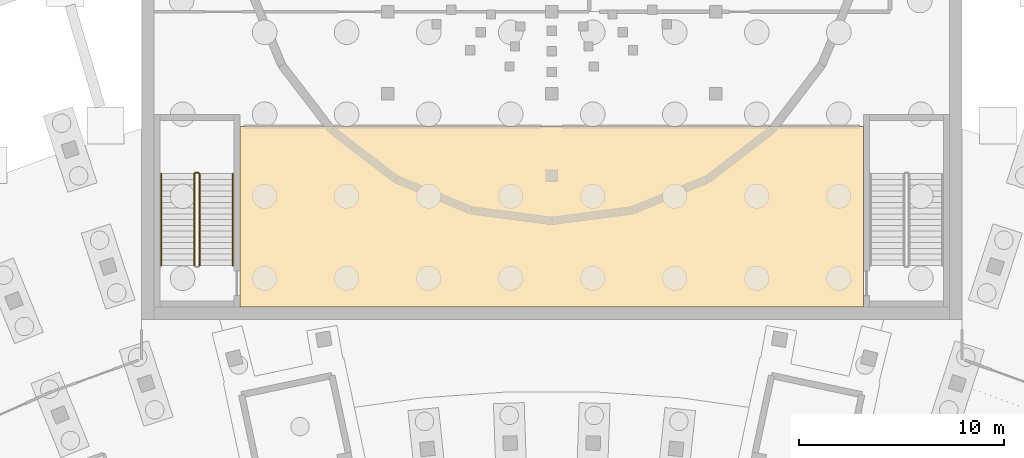
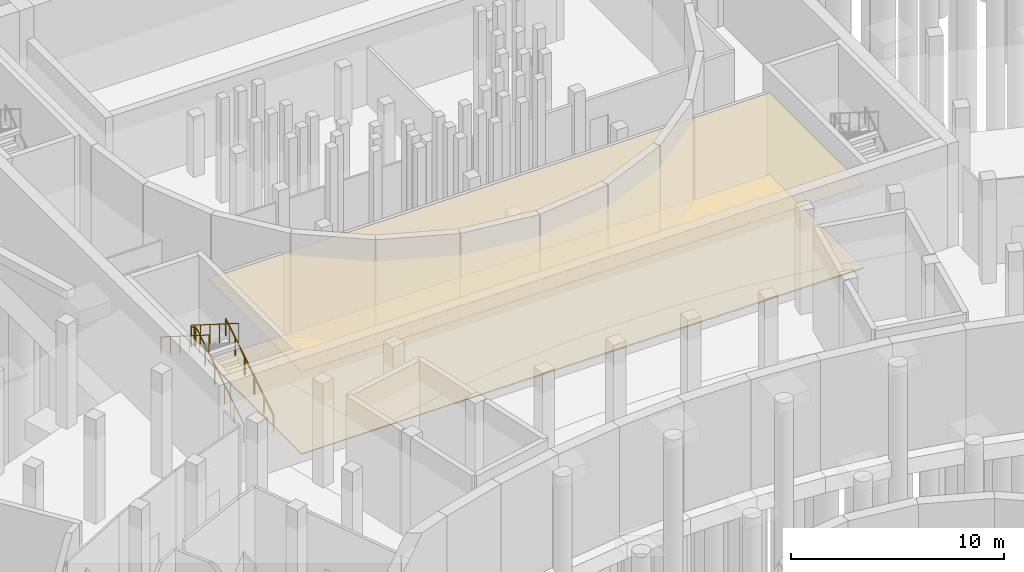
# One storey, part 48 of 66: 5 railings, 2 coverings.
"""IFC4 building model written with IfcOpenShell, lengths in metres."""

import ifcopenshell
import ifcopenshell.guid

model = None  # the IFC model being written
_history = None  # IfcOwnerHistory: only IFC2X3 demands one
_inside = {}  # id of a spatial element -> (the spatial element, [elements in it])
_under = {}  # id of a project, library or spatial element -> (it, [spatial elements below it])
_declared = {}  # id of a project -> (the project, [libraries it declares])
_typed = {}  # id of a type object -> (the type object, [elements of that type])
_made_of = {}  # id of a material, layer set ... -> (it, [elements and type objects made of it])


def new_model(schema):
    """Start an empty IFC model of exactly this schema.

    Asked for "IFC4X3", IfcOpenShell would pick the latest addendum, in which some entities
    have other attributes; the version numbers below select the first issue.
    IFC2X3 requires an IfcOwnerHistory on every rooted entity: one is made here for all.
    """
    global model, _history
    if schema == "IFC4X3":
        model = ifcopenshell.file(schema_version=(4, 3, 0, 0))
    else:
        model = ifcopenshell.file(schema=schema)
    _inside.clear()
    _under.clear()
    _declared.clear()
    _typed.clear()
    _made_of.clear()
    _history = None
    if model.schema == "IFC2X3":
        org = make("IfcOrganization", Name="unknown")
        user = make(
            "IfcPersonAndOrganization",
            ThePerson=make("IfcPerson", FamilyName="unknown"),
            TheOrganization=org,
        )
        app = make(
            "IfcApplication",
            ApplicationDeveloper=org,
            Version="unknown",
            ApplicationFullName="unknown",
            ApplicationIdentifier="unknown",
        )
        _history = make(
            "IfcOwnerHistory",
            OwningUser=user,
            OwningApplication=app,
            ChangeAction="ADDED",
            CreationDate=0,
        )
    return model


def make(cls, **values):
    """One entity of the class cls with the attributes given. An attribute that is None is left unset."""
    return model.create_entity(
        cls, **{name: value for name, value in values.items() if value is not None}
    )


def rooted(cls, **values):
    """An entity with a GlobalId (a new one), such as an element, a storey or a relation."""
    return make(cls, GlobalId=ifcopenshell.guid.new(), OwnerHistory=_history, **values)


def si_unit(unit_type, name, prefix=None):
    """IfcSIUnit, for example si_unit("LENGTHUNIT", "METRE", prefix="MILLI")."""
    return make("IfcSIUnit", UnitType=unit_type, Prefix=prefix, Name=name)


def assignment(units):
    """IfcUnitAssignment: the units of a project."""
    return None if units is None else make("IfcUnitAssignment", Units=units)


def point(xyz):
    """IfcCartesianPoint."""
    return None if xyz is None else make("IfcCartesianPoint", Coordinates=xyz)


def direction(xyz):
    """IfcDirection."""
    return None if xyz is None else make("IfcDirection", DirectionRatios=xyz)


def frame(location, z_axis=None, x_axis=None):
    """IfcAxis2Placement3D, a coordinate frame: its origin and axes. An axis left out is left unset."""
    return make(
        "IfcAxis2Placement3D",
        Location=point(location),
        Axis=direction(z_axis),
        RefDirection=direction(x_axis),
    )


def frame_2d(location, x_axis=None):
    """IfcAxis2Placement2D, a coordinate frame in the plane: its origin and x axis."""
    return make(
        "IfcAxis2Placement2D", Location=point(location), RefDirection=direction(x_axis)
    )


def origin():
    """The frame at (0, 0, 0) with its axes left unset."""
    return frame((0.0, 0.0, 0.0))


def origin_2d():
    """The frame at (0, 0) in the plane with its x axis left unset."""
    return frame_2d((0.0, 0.0))


def place(relative_to, where):
    """IfcLocalPlacement: puts the frame where relative to a parent placement (None: the world)."""
    return make(
        "IfcLocalPlacement", PlacementRelTo=relative_to, RelativePlacement=where
    )


def context(
    kind, dimensions, precision=None, world=None, true_north=None, identifier=None
):
    """IfcGeometricRepresentationContext, for example the 3D "Model" context."""
    return make(
        "IfcGeometricRepresentationContext",
        ContextIdentifier=identifier,
        ContextType=kind,
        CoordinateSpaceDimension=dimensions,
        Precision=precision,
        WorldCoordinateSystem=world,
        TrueNorth=true_north,
    )


def subcontext(parent, identifier, kind, view, scale=None):
    """IfcGeometricRepresentationSubContext, for example "Body" below "Model"."""
    return make(
        "IfcGeometricRepresentationSubContext",
        ContextIdentifier=identifier,
        ContextType=kind,
        ParentContext=parent,
        TargetScale=scale,
        TargetView=view,
    )


def project(units=None, contexts=None):
    """IfcProject with its units and contexts."""
    return rooted(
        "IfcProject",
        Name="project",
        RepresentationContexts=contexts,
        UnitsInContext=assignment(units),
    )


def spatial(cls, under=None, at=None, **own):
    """A site, building, storey or space (cls), placed at a placement, below another one or the project."""
    s = rooted(cls, ObjectPlacement=at, **own)
    if under is not None:
        _under.setdefault(under.id(), (under, []))[1].append(s)
    return s


def polyline(points):
    """IfcPolyline through the points."""
    return make("IfcPolyline", Points=[point(p) for p in points])


def profile(cls, at=None, kind="AREA", **sizes):
    """A parametric profile (cls). Its sizes go by their IFC names, for example OverallWidth=200.0."""
    return make(cls, ProfileType=kind, Position=at, **sizes)


def circle(**sizes):
    """IfcCircleProfileDef."""
    return profile("IfcCircleProfileDef", **sizes)


def outline(outer, holes=None, kind="AREA"):
    """IfcArbitraryClosedProfileDef: a profile drawn as a closed curve; with holes, ...WithVoids."""
    if holes is None:
        return make("IfcArbitraryClosedProfileDef", ProfileType=kind, OuterCurve=outer)
    return make(
        "IfcArbitraryProfileDefWithVoids",
        ProfileType=kind,
        OuterCurve=outer,
        InnerCurves=holes,
    )


def extrude(swept, where, along, depth):
    """IfcExtrudedAreaSolid: the profile swept, set in the frame where, extruded along a direction by depth."""
    return make(
        "IfcExtrudedAreaSolid",
        SweptArea=swept,
        Position=where,
        ExtrudedDirection=direction(along),
        Depth=depth,
    )


def shape(context_of_items, identifier, shape_type, items):
    """IfcShapeRepresentation: the items that make up one representation, for example the "Body"."""
    return make(
        "IfcShapeRepresentation",
        ContextOfItems=context_of_items,
        RepresentationIdentifier=identifier,
        RepresentationType=shape_type,
        Items=items,
    )


def material(Name=None, Category=None):
    """IfcMaterial."""
    return make("IfcMaterial", Name=Name, Category=Category)


def layer(
    of_material, thickness, ventilated=None, Name=None, Category=None, Priority=None
):
    """IfcMaterialLayer: one layer of a wall or slab, of a material (None: an air gap)."""
    return make(
        "IfcMaterialLayer",
        Material=of_material,
        LayerThickness=thickness,
        IsVentilated=ventilated,
        Name=Name,
        Category=Category,
        Priority=Priority,
    )


def layer_set(layers, Name=None):
    """IfcMaterialLayerSet."""
    return make("IfcMaterialLayerSet", MaterialLayers=layers, LayerSetName=Name)


def made_of(thing, what):
    """Note that an element or type object is made of a material, layer set ...; save() writes the relation."""
    if what is not None:
        _made_of.setdefault(what.id(), (what, []))[1].append(thing)
    return thing


def type_object(cls, material=None, **own):
    """A type object (cls), such as IfcWallType, which elements share."""
    return made_of(rooted(cls, **own), material)


def element(
    cls,
    number,
    at=None,
    inside=None,
    cuts=None,
    type_object=None,
    material=None,
    context=None,
    identifier="Body",
    shape_type=None,
    held_by="IfcProductDefinitionShape",
    body=None,
    shapes=None,
    **own,
):
    """One element of the class cls, such as IfcWall. Its Tag is "e" and its number.

    at: its placement. inside: the storey or other place that contains it. cuts: it is an
    opening in that element (IfcRelVoidsElement). A single representation is given by context,
    identifier, shape_type and body (its items); several are given by shapes. held_by: the class
    of the entity that holds the representations. save() writes the other relations.
    """
    e = rooted(cls, Tag="e%d" % number, ObjectPlacement=at, **own)
    if body is not None:
        shapes = [shape(context, identifier, shape_type, body)]
    if shapes is not None:
        e.Representation = make(held_by, Representations=shapes)
    if inside is not None:
        _inside.setdefault(inside.id(), (inside, []))[1].append(e)
    if cuts is not None:
        rooted(
            "IfcRelVoidsElement", RelatingBuildingElement=cuts, RelatedOpeningElement=e
        )
    if type_object is not None:
        _typed.setdefault(type_object.id(), (type_object, []))[1].append(e)
    return made_of(e, material)


def aggregate(whole, parts):
    """IfcRelAggregates: a whole, such as a stair, and the parts it consists of."""
    return rooted("IfcRelAggregates", RelatingObject=whole, RelatedObjects=parts)


def save(model, path):
    """Write the relations noted so far, then the file.

    IfcRelAggregates (storeys below a building ...), IfcRelContainedInSpatialStructure (elements
    in a storey), IfcRelDefinesByType, IfcRelAssociatesMaterial and IfcRelDeclares: one each for
    every whole, place, type object, material and project.
    """
    for whole, parts in _under.values():
        aggregate(whole, parts)
    for where, things in _inside.values():
        rooted(
            "IfcRelContainedInSpatialStructure",
            RelatedElements=things,
            RelatingStructure=where,
        )
    for kind, things in _typed.values():
        rooted("IfcRelDefinesByType", RelatedObjects=things, RelatingType=kind)
    for what, things in _made_of.values():
        rooted("IfcRelAssociatesMaterial", RelatedObjects=things, RelatingMaterial=what)
    for by, libraries in _declared.values():
        rooted("IfcRelDeclares", RelatingContext=by, RelatedDefinitions=libraries)
    model.write(path)


model = new_model("IFC4")

# Units and contexts
model_context = context("Model", 3, precision=1e-05, world=origin(), true_north=direction((0.0, 1.0)))
body_context = subcontext(model_context, "Body", "Model", "MODEL_VIEW")
ifc_project = project(units=[si_unit("LENGTHUNIT", "METRE"), si_unit("AREAUNIT", "SQUARE_METRE"), si_unit("VOLUMEUNIT", "CUBIC_METRE"), si_unit("PLANEANGLEUNIT", "RADIAN"), si_unit("MASSUNIT", "GRAM", prefix="KILO")], contexts=[model_context])

# Site, building, storey
site_placement = place(None, origin())
site = spatial("IfcSite", under=ifc_project, at=site_placement, CompositionType="ELEMENT")
building_placement = place(site_placement, origin())
building = spatial("IfcBuilding", under=site, at=building_placement, Name="Lunette Opera House", CompositionType="ELEMENT")
storey_placement = place(building_placement, frame((0.0, 0.0, -6.0)))
storey = spatial("IfcBuildingStorey", under=building, at=storey_placement, Name="B1", CompositionType="ELEMENT", Elevation=-6.0)

# Covering
ifc_material_1 = material(Name="Cement screed")
ifc_layer_1 = layer(ifc_material_1, 0.070068359375)
ifc_layer_set_1 = layer_set([ifc_layer_1], Name="Cement screed")
covering_type_1 = type_object("IfcCoveringType", Name="SCREED FLOOR FINISH 70", PredefinedType="FLOORING", material=ifc_layer_set_1)
covering_1_placement = place(storey_placement, origin())
element("IfcCovering", 1, at=covering_1_placement, inside=storey, type_object=covering_type_1, Name="Floor finish Auditorium Plant Room", PredefinedType="FLOORING", context=body_context, shape_type="SweptSolid", body=[
    extrude(outline(polyline([(80.800048828125, 73.39990234375), (111.199951171875, 73.39990234375), (111.199951171875, 64.60009765625), (80.800048828125, 64.60009765625), (80.800048828125, 73.39990234375)])), origin(), (0.0, 0.0, 1.0), 0.070068359375),
])

# Railings
ifc_material_2 = material(Name="Steel S355", Category="steel")
railing_type_1 = type_object("IfcRailingType", Name="STAIR GUARD 1100", PredefinedType="GUARDRAIL", material=ifc_material_2)
railing_1_placement = place(storey_placement, frame((78.830078125, 66.6201171875, 0.176513671875)))
element("IfcRailing", 2, at=railing_1_placement, inside=storey, type_object=railing_type_1, Name="B1 ST7 stair guard 1", PredefinedType="GUARDRAIL", context=body_context, shape_type="SweptSolid", body=[
    extrude(circle(Radius=0.02392578125, at=origin_2d()), frame((0.0, 0.0, 1.076171875), z_axis=(0.0, 0.845997938375, 0.533186166611), x_axis=(-1.0, 0.0, 0.0)), (0.0, 0.0, 1.0), 5.29541015625),
    extrude(circle(Radius=0.02099609375, at=origin_2d()), origin(), (0.0, 0.0, 1.0), 1.052001953125),
    extrude(circle(Radius=0.02099609375, at=origin_2d()), frame((0.0, 0.89599609375, 0.564697265625)), (0.0, 0.0, 1.0), 1.052001953125),
    extrude(circle(Radius=0.02099609375, at=origin_2d()), frame((0.0, 1.7919921875, 1.12939453125)), (0.0, 0.0, 1.0), 1.052001953125),
    extrude(circle(Radius=0.02099609375, at=origin_2d()), frame((0.0, 2.68798828125, 1.694091796875)), (0.0, 0.0, 1.0), 1.052001953125),
    extrude(circle(Radius=0.02099609375, at=origin_2d()), frame((0.0, 3.583984375, 2.2587890625)), (0.0, 0.0, 1.0), 1.052001953125),
    extrude(circle(Radius=0.02099609375, at=origin_2d()), frame((0.0, 4.47998046875, 2.823486328125)), (0.0, 0.0, 1.0), 1.052001953125),
])
railing_2_placement = place(storey_placement, frame((78.780029296875, 71.14990234375, 3.0)))
element("IfcRailing", 3, at=railing_2_placement, inside=storey, type_object=railing_type_1, Name="B1 ST7 stair guard 2", PredefinedType="GUARDRAIL", context=body_context, shape_type="SweptSolid", body=[
    extrude(circle(Radius=0.02392578125, at=origin_2d()), frame((0.0, 0.0, 1.076171875), z_axis=(-1.0, 0.0, 0.0), x_axis=(0.0, -1.0, 0.0)), (0.0, 0.0, 1.0), 0.159912109375),
    extrude(circle(Radius=0.02099609375, at=origin_2d()), origin(), (0.0, 0.0, 1.0), 1.052001953125),
    extrude(circle(Radius=0.02099609375, at=origin_2d()), frame((-0.159912109375, 0.0, 0.0)), (0.0, 0.0, 1.0), 1.052001953125),
])
railing_3_placement = place(storey_placement, frame((78.570068359375, 71.10009765625, 3.176513671875)))
element("IfcRailing", 4, at=railing_3_placement, inside=storey, type_object=railing_type_1, Name="B1 ST7 stair guard 3", PredefinedType="GUARDRAIL", context=body_context, shape_type="SweptSolid", body=[
    extrude(circle(Radius=0.02392578125, at=origin_2d()), frame((0.0, 0.0, 1.076171875), z_axis=(0.0, -0.845997938375, 0.533186166611), x_axis=(1.0, 0.0, 0.0)), (0.0, 0.0, 1.0), 5.29541015625),
    extrude(circle(Radius=0.02099609375, at=origin_2d()), origin(), (0.0, 0.0, 1.0), 1.052001953125),
    extrude(circle(Radius=0.02099609375, at=origin_2d()), frame((0.0, -0.89599609375, 0.564697265625)), (0.0, 0.0, 1.0), 1.052001953125),
    extrude(circle(Radius=0.02099609375, at=origin_2d()), frame((0.0, -1.7919921875, 1.12939453125)), (0.0, 0.0, 1.0), 1.052001953125),
    extrude(circle(Radius=0.02099609375, at=origin_2d()), frame((0.0, -2.68798828125, 1.694091796875)), (0.0, 0.0, 1.0), 1.052001953125),
    extrude(circle(Radius=0.02099609375, at=origin_2d()), frame((0.0, -3.583984375, 2.2587890625)), (0.0, 0.0, 1.0), 1.052001953125),
    extrude(circle(Radius=0.02099609375, at=origin_2d()), frame((0.0, -4.47998046875, 2.823486328125)), (0.0, 0.0, 1.0), 1.052001953125),
])
ifc_material_3 = material(Name="Steel S355", Category="steel")
railing_type_2 = type_object("IfcRailingType", Name="STAIR HANDRAIL 1000", PredefinedType="HANDRAIL", material=ifc_material_3)
railing_4_placement = place(storey_placement, frame((80.449951171875, 66.6201171875, 0.176513671875)))
element("IfcRailing", 5, at=railing_4_placement, inside=storey, type_object=railing_type_2, Name="B1 ST7 stair handrail 1", PredefinedType="HANDRAIL", context=body_context, shape_type="SweptSolid", body=[
    extrude(circle(Radius=0.02392578125, at=origin_2d()), frame((0.0, 0.0, 0.97607421875), z_axis=(0.0, 0.845997938375, 0.533186166611), x_axis=(-1.0, 0.0, 0.0)), (0.0, 0.0, 1.0), 5.29541015625),
    extrude(circle(Radius=0.02099609375, at=origin_2d()), origin(), (0.0, 0.0, 1.0), 0.951904296875),
    extrude(circle(Radius=0.02099609375, at=origin_2d()), frame((0.0, 0.89599609375, 0.564697265625)), (0.0, 0.0, 1.0), 0.951904296875),
    extrude(circle(Radius=0.02099609375, at=origin_2d()), frame((0.0, 1.7919921875, 1.12939453125)), (0.0, 0.0, 1.0), 0.951904296875),
    extrude(circle(Radius=0.02099609375, at=origin_2d()), frame((0.0, 2.68798828125, 1.694091796875)), (0.0, 0.0, 1.0), 0.951904296875),
    extrude(circle(Radius=0.02099609375, at=origin_2d()), frame((0.0, 3.583984375, 2.2587890625)), (0.0, 0.0, 1.0), 0.951904296875),
    extrude(circle(Radius=0.02099609375, at=origin_2d()), frame((0.0, 4.47998046875, 2.823486328125)), (0.0, 0.0, 1.0), 0.951904296875),
])
railing_5_placement = place(storey_placement, frame((76.949951171875, 71.10009765625, 3.176513671875)))
element("IfcRailing", 6, at=railing_5_placement, inside=storey, type_object=railing_type_2, Name="B1 ST7 stair handrail 2", PredefinedType="HANDRAIL", context=body_context, shape_type="SweptSolid", body=[
    extrude(circle(Radius=0.02392578125, at=origin_2d()), frame((0.0, 0.0, 0.97607421875), z_axis=(0.0, -0.845997938375, 0.533186166611), x_axis=(1.0, 0.0, 0.0)), (0.0, 0.0, 1.0), 5.29541015625),
    extrude(circle(Radius=0.02099609375, at=origin_2d()), origin(), (0.0, 0.0, 1.0), 0.951904296875),
    extrude(circle(Radius=0.02099609375, at=origin_2d()), frame((0.0, -0.89599609375, 0.564697265625)), (0.0, 0.0, 1.0), 0.951904296875),
    extrude(circle(Radius=0.02099609375, at=origin_2d()), frame((0.0, -1.7919921875, 1.12939453125)), (0.0, 0.0, 1.0), 0.951904296875),
    extrude(circle(Radius=0.02099609375, at=origin_2d()), frame((0.0, -2.68798828125, 1.694091796875)), (0.0, 0.0, 1.0), 0.951904296875),
    extrude(circle(Radius=0.02099609375, at=origin_2d()), frame((0.0, -3.583984375, 2.2587890625)), (0.0, 0.0, 1.0), 0.951904296875),
    extrude(circle(Radius=0.02099609375, at=origin_2d()), frame((0.0, -4.47998046875, 2.823486328125)), (0.0, 0.0, 1.0), 0.951904296875),
])

# Covering
ifc_material_4 = material(Name="Mineral fibre board")
ifc_layer_2 = layer(ifc_material_4, 0.014892578125)
ifc_layer_set_2 = layer_set([ifc_layer_2], Name="Mineral fibre board")
covering_type_2 = type_object("IfcCoveringType", Name="SUSPENDED ACOUSTIC CEILING 15", PredefinedType="CEILING", material=ifc_layer_set_2)
covering_2_placement = place(storey_placement, frame((0.0, 0.0, 4.735107421875)))
element("IfcCovering", 7, at=covering_2_placement, inside=storey, type_object=covering_type_2, Name="Ceiling Auditorium Plant Room", PredefinedType="CEILING", context=body_context, shape_type="SweptSolid", body=[
    extrude(outline(polyline([(80.800048828125, 73.39990234375), (111.199951171875, 73.39990234375), (111.199951171875, 64.60009765625), (80.800048828125, 64.60009765625), (80.800048828125, 73.39990234375)])), origin(), (0.0, 0.0, 1.0), 0.014892578125),
])

save(model, "model.ifc")
